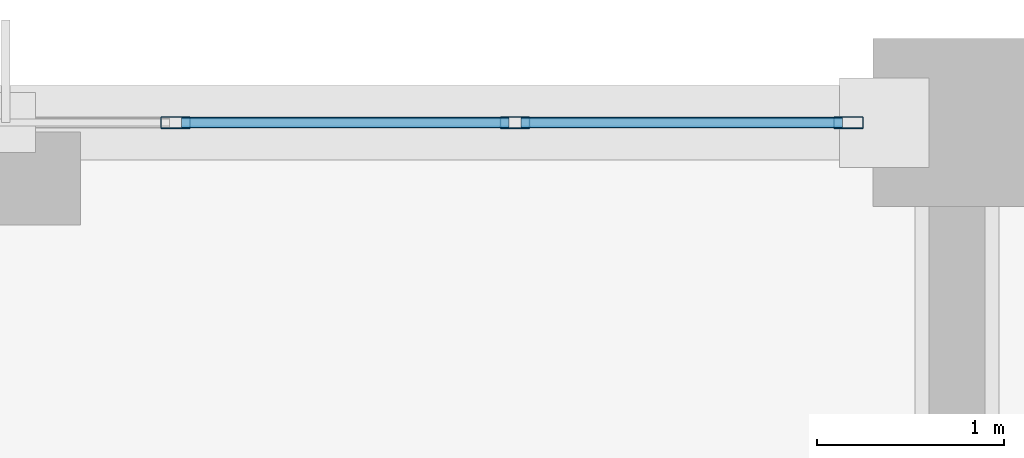
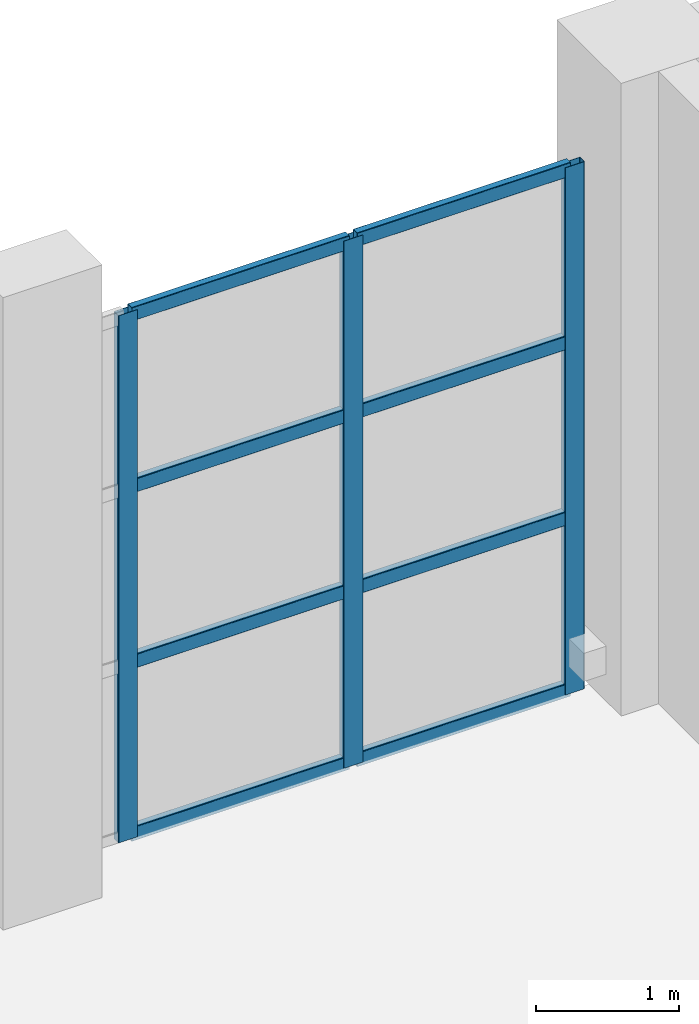
# One storey, part 86 of 175: 11 members, 1 element without a shape of its own.
"""IFC4 building model written with IfcOpenShell, lengths in metres."""

from ifc_helpers import new_model, si_unit, direction, frame, origin, origin_2d, place, context, subcontext, project, spatial, hollow_rectangle, extrude, material, material_profile, profile_set, type_object, element, aggregate, save


model = new_model("IFC4")

# Units and contexts
model_context = context("Model", 3, precision=1e-05, world=origin(), true_north=direction((0.0, 1.0)))
body_context = subcontext(model_context, "Body", "Model", "MODEL_VIEW")
ifc_project = project(units=[si_unit("LENGTHUNIT", "METRE"), si_unit("AREAUNIT", "SQUARE_METRE"), si_unit("VOLUMEUNIT", "CUBIC_METRE"), si_unit("PLANEANGLEUNIT", "RADIAN"), si_unit("MASSUNIT", "GRAM", prefix="KILO")], contexts=[model_context])

# Site, building, storey
site_placement = place(None, origin())
site = spatial("IfcSite", under=ifc_project, at=site_placement, CompositionType="ELEMENT")
building_placement = place(site_placement, origin())
building = spatial("IfcBuilding", under=site, at=building_placement, Name="Brelvane Convention Centre", CompositionType="ELEMENT")
storey_placement = place(building_placement, frame((0.0, 0.0, 5.39990234375)))
storey = spatial("IfcBuildingStorey", under=building, at=storey_placement, Name="L01", CompositionType="ELEMENT", Elevation=5.39990234375)

# Curtain wall, members
ifc_material_1 = material(Name="Anodised Aluminium Alloy 6063-T6", Category="aluminium")
curtain_wall_type = type_object("IfcCurtainWallType", Name="Curtain Wall CW-BOUL", PredefinedType="USERDEFINED", material=ifc_material_1)
curtain_wall_placement = place(storey_placement, origin())
curtain_wall = element("IfcCurtainWall", 1, at=curtain_wall_placement, inside=storey, type_object=curtain_wall_type, Name="Curtain Wall CW-BOUL L01-V4N-02", ObjectType="UNITISED", PredefinedType="USERDEFINED")
ifc_material_2 = material(Name="Anodised Aluminium Alloy 6063-T6", Category="aluminium")
ifc_material_profile_1 = material_profile(ifc_material_2, hollow_rectangle(XDim=0.06494140625, YDim=0.159912109375, WallThickness=0.00390625, InnerFilletRadius=0.00390625, OuterFilletRadius=0.008056640625, at=origin_2d()), Name="ALU-M 160x65x4.0")
ifc_profile_set_1 = profile_set([ifc_material_profile_1], Name="Anodised Aluminium Alloy 6063-T6")
member_type_1 = type_object("IfcMemberType", Name="Curtain Mullion CW-M3", PredefinedType="MULLION", material=ifc_profile_set_1)
member_1_placement = place(storey_placement, frame((16.2099609375, 144.0, 0.0), z_axis=(0.0, 0.0, 1.0), x_axis=(0.0, 1.0, 0.0)))
member_1 = element("IfcMember", 2, at=member_1_placement, type_object=member_type_1, Name="CW-BOUL mullion 4", PredefinedType="MULLION", context=body_context, shape_type="SweptSolid", body=[
    extrude(hollow_rectangle(XDim=0.06494140625, YDim=0.159912109375, WallThickness=0.00390625, InnerFilletRadius=0.00390625, OuterFilletRadius=0.008056640625, at=origin_2d()), origin(), (0.0, 0.0, 1.0), 4.5),
])
member_2_placement = place(storey_placement, frame((18.030029296875, 144.0, 0.0), z_axis=(0.0, 0.0, 1.0), x_axis=(0.0, 1.0, 0.0)))
member_2 = element("IfcMember", 3, at=member_2_placement, type_object=member_type_1, Name="CW-BOUL mullion 5", PredefinedType="MULLION", context=body_context, shape_type="SweptSolid", body=[
    extrude(hollow_rectangle(XDim=0.06494140625, YDim=0.159912109375, WallThickness=0.00390625, InnerFilletRadius=0.00390625, OuterFilletRadius=0.008056640625, at=origin_2d()), origin(), (0.0, 0.0, 1.0), 4.5),
])
member_3_placement = place(storey_placement, frame((19.8173828125, 144.0, 0.0), z_axis=(0.0, 0.0, 1.0), x_axis=(0.0, 1.0, 0.0)))
member_3 = element("IfcMember", 4, at=member_3_placement, type_object=member_type_1, Name="CW-BOUL mullion 6", PredefinedType="MULLION", context=body_context, shape_type="SweptSolid", body=[
    extrude(hollow_rectangle(XDim=0.06494140625, YDim=0.159912109375, WallThickness=0.00390625, InnerFilletRadius=0.00390625, OuterFilletRadius=0.008056640625, at=origin_2d()), origin(), (0.0, 0.0, 1.0), 4.5),
])
ifc_material_3 = material(Name="Anodised Aluminium Alloy 6063-T6", Category="aluminium")
ifc_material_profile_2 = material_profile(ifc_material_3, hollow_rectangle(XDim=0.06005859375, YDim=0.1201171875, WallThickness=0.00390625, InnerFilletRadius=0.00390625, OuterFilletRadius=0.008056640625, at=origin_2d()), Name="ALU-T 120x60x4.0")
ifc_profile_set_2 = profile_set([ifc_material_profile_2], Name="Anodised Aluminium Alloy 6063-T6")
member_type_2 = type_object("IfcMemberType", Name="Curtain Transom CW-T3", PredefinedType="USERDEFINED", material=ifc_profile_set_2)
member_4_placement = place(storey_placement, frame((16.242431640625, 144.0, 0.030029296875), z_axis=(1.0, 0.0, 0.0), x_axis=(0.0, 1.0, 0.0)))
member_4 = element("IfcMember", 5, at=member_4_placement, type_object=member_type_2, Name="CW-BOUL transom 4.1", ObjectType="TRANSOM", PredefinedType="USERDEFINED", context=body_context, shape_type="SweptSolid", body=[
    extrude(hollow_rectangle(XDim=0.06005859375, YDim=0.1201171875, WallThickness=0.00390625, InnerFilletRadius=0.00390625, OuterFilletRadius=0.008056640625, at=origin_2d()), origin(), (0.0, 0.0, 1.0), 1.755126953125),
])
member_5_placement = place(storey_placement, frame((16.242431640625, 144.0, 1.5), z_axis=(1.0, 0.0, 0.0), x_axis=(0.0, 1.0, 0.0)))
member_5 = element("IfcMember", 6, at=member_5_placement, type_object=member_type_2, Name="CW-BOUL transom 4.2", ObjectType="TRANSOM", PredefinedType="USERDEFINED", context=body_context, shape_type="SweptSolid", body=[
    extrude(hollow_rectangle(XDim=0.06005859375, YDim=0.1201171875, WallThickness=0.00390625, InnerFilletRadius=0.00390625, OuterFilletRadius=0.008056640625, at=origin_2d()), origin(), (0.0, 0.0, 1.0), 1.755126953125),
])
member_6_placement = place(storey_placement, frame((16.242431640625, 144.0, 3.0), z_axis=(1.0, 0.0, 0.0), x_axis=(0.0, 1.0, 0.0)))
member_6 = element("IfcMember", 7, at=member_6_placement, type_object=member_type_2, Name="CW-BOUL transom 4.3", ObjectType="TRANSOM", PredefinedType="USERDEFINED", context=body_context, shape_type="SweptSolid", body=[
    extrude(hollow_rectangle(XDim=0.06005859375, YDim=0.1201171875, WallThickness=0.00390625, InnerFilletRadius=0.00390625, OuterFilletRadius=0.008056640625, at=origin_2d()), origin(), (0.0, 0.0, 1.0), 1.755126953125),
])
member_7_placement = place(storey_placement, frame((16.242431640625, 144.0, 4.47021484375), z_axis=(1.0, 0.0, 0.0), x_axis=(0.0, 1.0, 0.0)))
member_7 = element("IfcMember", 8, at=member_7_placement, type_object=member_type_2, Name="CW-BOUL transom 4.4", ObjectType="TRANSOM", PredefinedType="USERDEFINED", context=body_context, shape_type="SweptSolid", body=[
    extrude(hollow_rectangle(XDim=0.06005859375, YDim=0.1201171875, WallThickness=0.00390625, InnerFilletRadius=0.00390625, OuterFilletRadius=0.008056640625, at=origin_2d()), origin(), (0.0, 0.0, 1.0), 1.755126953125),
])
member_8_placement = place(storey_placement, frame((18.0625, 144.0, 0.030029296875), z_axis=(1.0, 0.0, 0.0), x_axis=(0.0, 1.0, 0.0)))
member_8 = element("IfcMember", 9, at=member_8_placement, type_object=member_type_2, Name="CW-BOUL transom 5.1", ObjectType="TRANSOM", PredefinedType="USERDEFINED", context=body_context, shape_type="SweptSolid", body=[
    extrude(hollow_rectangle(XDim=0.06005859375, YDim=0.1201171875, WallThickness=0.00390625, InnerFilletRadius=0.00390625, OuterFilletRadius=0.008056640625, at=origin_2d()), origin(), (0.0, 0.0, 1.0), 1.722412109375),
])
member_9_placement = place(storey_placement, frame((18.0625, 144.0, 1.5), z_axis=(1.0, 0.0, 0.0), x_axis=(0.0, 1.0, 0.0)))
member_9 = element("IfcMember", 10, at=member_9_placement, type_object=member_type_2, Name="CW-BOUL transom 5.2", ObjectType="TRANSOM", PredefinedType="USERDEFINED", context=body_context, shape_type="SweptSolid", body=[
    extrude(hollow_rectangle(XDim=0.06005859375, YDim=0.1201171875, WallThickness=0.00390625, InnerFilletRadius=0.00390625, OuterFilletRadius=0.008056640625, at=origin_2d()), origin(), (0.0, 0.0, 1.0), 1.722412109375),
])
member_10_placement = place(storey_placement, frame((18.0625, 144.0, 3.0), z_axis=(1.0, 0.0, 0.0), x_axis=(0.0, 1.0, 0.0)))
member_10 = element("IfcMember", 11, at=member_10_placement, type_object=member_type_2, Name="CW-BOUL transom 5.3", ObjectType="TRANSOM", PredefinedType="USERDEFINED", context=body_context, shape_type="SweptSolid", body=[
    extrude(hollow_rectangle(XDim=0.06005859375, YDim=0.1201171875, WallThickness=0.00390625, InnerFilletRadius=0.00390625, OuterFilletRadius=0.008056640625, at=origin_2d()), origin(), (0.0, 0.0, 1.0), 1.722412109375),
])
member_11_placement = place(storey_placement, frame((18.0625, 144.0, 4.47021484375), z_axis=(1.0, 0.0, 0.0), x_axis=(0.0, 1.0, 0.0)))
member_11 = element("IfcMember", 12, at=member_11_placement, type_object=member_type_2, Name="CW-BOUL transom 5.4", ObjectType="TRANSOM", PredefinedType="USERDEFINED", context=body_context, shape_type="SweptSolid", body=[
    extrude(hollow_rectangle(XDim=0.06005859375, YDim=0.1201171875, WallThickness=0.00390625, InnerFilletRadius=0.00390625, OuterFilletRadius=0.008056640625, at=origin_2d()), origin(), (0.0, 0.0, 1.0), 1.722412109375),
])
aggregate(curtain_wall, [member_1, member_2, member_3, member_4, member_5, member_6, member_7, member_8, member_9, member_10, member_11])

save(model, "model.ifc")
